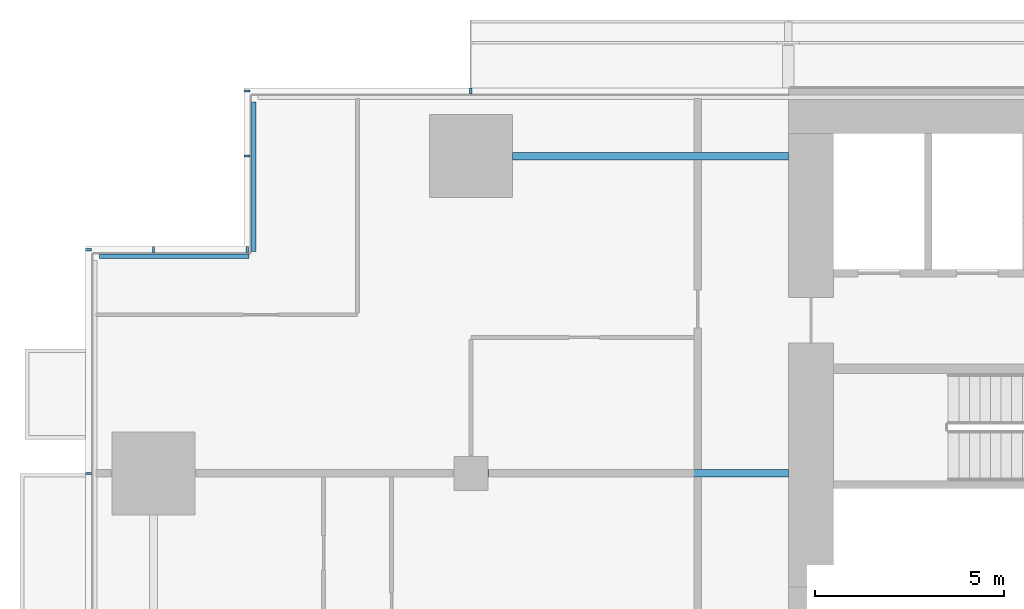
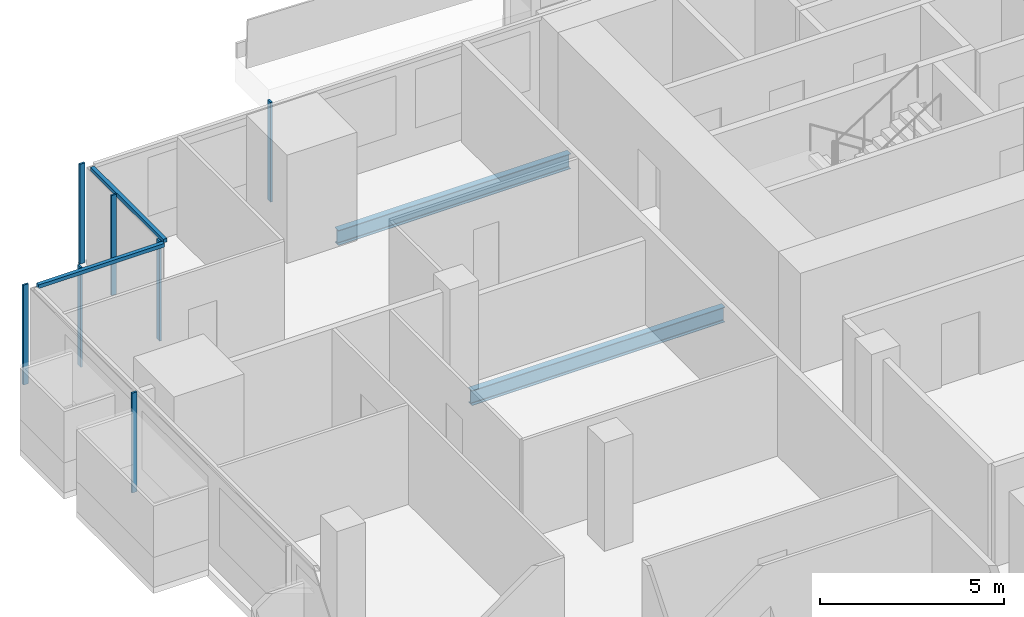
# One storey, part 8 of 27: 9 members, 2 beams, 4 elements without a shape of their own.
"""IFC4 building model written with IfcOpenShell, lengths in metres."""

import ifcopenshell
import ifcopenshell.guid

model = None  # the IFC model being written
_history = None  # IfcOwnerHistory: only IFC2X3 demands one
_inside = {}  # id of a spatial element -> (the spatial element, [elements in it])
_under = {}  # id of a project, library or spatial element -> (it, [spatial elements below it])
_declared = {}  # id of a project -> (the project, [libraries it declares])
_typed = {}  # id of a type object -> (the type object, [elements of that type])
_made_of = {}  # id of a material, layer set ... -> (it, [elements and type objects made of it])


def new_model(schema):
    """Start an empty IFC model of exactly this schema.

    Asked for "IFC4X3", IfcOpenShell would pick the latest addendum, in which some entities
    have other attributes; the version numbers below select the first issue.
    IFC2X3 requires an IfcOwnerHistory on every rooted entity: one is made here for all.
    """
    global model, _history
    if schema == "IFC4X3":
        model = ifcopenshell.file(schema_version=(4, 3, 0, 0))
    else:
        model = ifcopenshell.file(schema=schema)
    _inside.clear()
    _under.clear()
    _declared.clear()
    _typed.clear()
    _made_of.clear()
    _history = None
    if model.schema == "IFC2X3":
        org = make("IfcOrganization", Name="unknown")
        user = make(
            "IfcPersonAndOrganization",
            ThePerson=make("IfcPerson", FamilyName="unknown"),
            TheOrganization=org,
        )
        app = make(
            "IfcApplication",
            ApplicationDeveloper=org,
            Version="unknown",
            ApplicationFullName="unknown",
            ApplicationIdentifier="unknown",
        )
        _history = make(
            "IfcOwnerHistory",
            OwningUser=user,
            OwningApplication=app,
            ChangeAction="ADDED",
            CreationDate=0,
        )
    return model


def make(cls, **values):
    """One entity of the class cls with the attributes given. An attribute that is None is left unset."""
    return model.create_entity(
        cls, **{name: value for name, value in values.items() if value is not None}
    )


def rooted(cls, **values):
    """An entity with a GlobalId (a new one), such as an element, a storey or a relation."""
    return make(cls, GlobalId=ifcopenshell.guid.new(), OwnerHistory=_history, **values)


def si_unit(unit_type, name, prefix=None):
    """IfcSIUnit, for example si_unit("LENGTHUNIT", "METRE", prefix="MILLI")."""
    return make("IfcSIUnit", UnitType=unit_type, Prefix=prefix, Name=name)


def assignment(units):
    """IfcUnitAssignment: the units of a project."""
    return None if units is None else make("IfcUnitAssignment", Units=units)


def point(xyz):
    """IfcCartesianPoint."""
    return None if xyz is None else make("IfcCartesianPoint", Coordinates=xyz)


def direction(xyz):
    """IfcDirection."""
    return None if xyz is None else make("IfcDirection", DirectionRatios=xyz)


def frame(location, z_axis=None, x_axis=None):
    """IfcAxis2Placement3D, a coordinate frame: its origin and axes. An axis left out is left unset."""
    return make(
        "IfcAxis2Placement3D",
        Location=point(location),
        Axis=direction(z_axis),
        RefDirection=direction(x_axis),
    )


def frame_2d(location, x_axis=None):
    """IfcAxis2Placement2D, a coordinate frame in the plane: its origin and x axis."""
    return make(
        "IfcAxis2Placement2D", Location=point(location), RefDirection=direction(x_axis)
    )


def origin():
    """The frame at (0, 0, 0) with its axes left unset."""
    return frame((0.0, 0.0, 0.0))


def origin_2d():
    """The frame at (0, 0) in the plane with its x axis left unset."""
    return frame_2d((0.0, 0.0))


def place(relative_to, where):
    """IfcLocalPlacement: puts the frame where relative to a parent placement (None: the world)."""
    return make(
        "IfcLocalPlacement", PlacementRelTo=relative_to, RelativePlacement=where
    )


def context(
    kind, dimensions, precision=None, world=None, true_north=None, identifier=None
):
    """IfcGeometricRepresentationContext, for example the 3D "Model" context."""
    return make(
        "IfcGeometricRepresentationContext",
        ContextIdentifier=identifier,
        ContextType=kind,
        CoordinateSpaceDimension=dimensions,
        Precision=precision,
        WorldCoordinateSystem=world,
        TrueNorth=true_north,
    )


def subcontext(parent, identifier, kind, view, scale=None):
    """IfcGeometricRepresentationSubContext, for example "Body" below "Model"."""
    return make(
        "IfcGeometricRepresentationSubContext",
        ContextIdentifier=identifier,
        ContextType=kind,
        ParentContext=parent,
        TargetScale=scale,
        TargetView=view,
    )


def project(units=None, contexts=None):
    """IfcProject with its units and contexts."""
    return rooted(
        "IfcProject",
        Name="project",
        RepresentationContexts=contexts,
        UnitsInContext=assignment(units),
    )


def spatial(cls, under=None, at=None, **own):
    """A site, building, storey or space (cls), placed at a placement, below another one or the project."""
    s = rooted(cls, ObjectPlacement=at, **own)
    if under is not None:
        _under.setdefault(under.id(), (under, []))[1].append(s)
    return s


def profile(cls, at=None, kind="AREA", **sizes):
    """A parametric profile (cls). Its sizes go by their IFC names, for example OverallWidth=200.0."""
    return make(cls, ProfileType=kind, Position=at, **sizes)


def rectangle(**sizes):
    """IfcRectangleProfileDef."""
    return profile("IfcRectangleProfileDef", **sizes)


def i_section(**sizes):
    """IfcIShapeProfileDef."""
    return profile("IfcIShapeProfileDef", **sizes)


def extrude(swept, where, along, depth):
    """IfcExtrudedAreaSolid: the profile swept, set in the frame where, extruded along a direction by depth."""
    return make(
        "IfcExtrudedAreaSolid",
        SweptArea=swept,
        Position=where,
        ExtrudedDirection=direction(along),
        Depth=depth,
    )


def shape(context_of_items, identifier, shape_type, items):
    """IfcShapeRepresentation: the items that make up one representation, for example the "Body"."""
    return make(
        "IfcShapeRepresentation",
        ContextOfItems=context_of_items,
        RepresentationIdentifier=identifier,
        RepresentationType=shape_type,
        Items=items,
    )


def material(Name=None, Category=None):
    """IfcMaterial."""
    return make("IfcMaterial", Name=Name, Category=Category)


def material_profile(
    of_material, cross_section, Name=None, Category=None, Priority=None
):
    """IfcMaterialProfile: a cross section and its material."""
    return make(
        "IfcMaterialProfile",
        Name=Name,
        Material=of_material,
        Profile=cross_section,
        Priority=Priority,
        Category=Category,
    )


def profile_set(profiles, Name=None, composite=None):
    """IfcMaterialProfileSet."""
    return make(
        "IfcMaterialProfileSet",
        Name=Name,
        MaterialProfiles=profiles,
        CompositeProfile=composite,
    )


def made_of(thing, what):
    """Note that an element or type object is made of a material, layer set ...; save() writes the relation."""
    if what is not None:
        _made_of.setdefault(what.id(), (what, []))[1].append(thing)
    return thing


def type_object(cls, material=None, **own):
    """A type object (cls), such as IfcWallType, which elements share."""
    return made_of(rooted(cls, **own), material)


def element(
    cls,
    number,
    at=None,
    inside=None,
    cuts=None,
    type_object=None,
    material=None,
    context=None,
    identifier="Body",
    shape_type=None,
    held_by="IfcProductDefinitionShape",
    body=None,
    shapes=None,
    **own,
):
    """One element of the class cls, such as IfcWall. Its Tag is "e" and its number.

    at: its placement. inside: the storey or other place that contains it. cuts: it is an
    opening in that element (IfcRelVoidsElement). A single representation is given by context,
    identifier, shape_type and body (its items); several are given by shapes. held_by: the class
    of the entity that holds the representations. save() writes the other relations.
    """
    e = rooted(cls, Tag="e%d" % number, ObjectPlacement=at, **own)
    if body is not None:
        shapes = [shape(context, identifier, shape_type, body)]
    if shapes is not None:
        e.Representation = make(held_by, Representations=shapes)
    if inside is not None:
        _inside.setdefault(inside.id(), (inside, []))[1].append(e)
    if cuts is not None:
        rooted(
            "IfcRelVoidsElement", RelatingBuildingElement=cuts, RelatedOpeningElement=e
        )
    if type_object is not None:
        _typed.setdefault(type_object.id(), (type_object, []))[1].append(e)
    return made_of(e, material)


def aggregate(whole, parts):
    """IfcRelAggregates: a whole, such as a stair, and the parts it consists of."""
    return rooted("IfcRelAggregates", RelatingObject=whole, RelatedObjects=parts)


def save(model, path):
    """Write the relations noted so far, then the file.

    IfcRelAggregates (storeys below a building ...), IfcRelContainedInSpatialStructure (elements
    in a storey), IfcRelDefinesByType, IfcRelAssociatesMaterial and IfcRelDeclares: one each for
    every whole, place, type object, material and project.
    """
    for whole, parts in _under.values():
        aggregate(whole, parts)
    for where, things in _inside.values():
        rooted(
            "IfcRelContainedInSpatialStructure",
            RelatedElements=things,
            RelatingStructure=where,
        )
    for kind, things in _typed.values():
        rooted("IfcRelDefinesByType", RelatedObjects=things, RelatingType=kind)
    for what, things in _made_of.values():
        rooted("IfcRelAssociatesMaterial", RelatedObjects=things, RelatingMaterial=what)
    for by, libraries in _declared.values():
        rooted("IfcRelDeclares", RelatingContext=by, RelatedDefinitions=libraries)
    model.write(path)


model = new_model("IFC4")

# Units and contexts
model_context = context("Model", 3, precision=1e-05, world=origin(), true_north=direction((0.0, 1.0)))
body_context = subcontext(model_context, "Body", "Model", "MODEL_VIEW")
ifc_project = project(units=[si_unit("LENGTHUNIT", "METRE"), si_unit("AREAUNIT", "SQUARE_METRE"), si_unit("VOLUMEUNIT", "CUBIC_METRE"), si_unit("PLANEANGLEUNIT", "RADIAN"), si_unit("MASSUNIT", "GRAM", prefix="KILO")], contexts=[model_context])

# Site, building, storey
site_placement = place(None, origin())
site = spatial("IfcSite", under=ifc_project, at=site_placement, CompositionType="ELEMENT")
building_placement = place(site_placement, origin())
building = spatial("IfcBuilding", under=site, at=building_placement, Name="Saffron Gate Tower", CompositionType="ELEMENT")
storey_placement = place(building_placement, frame((0.0, 0.0, 44.39990234375)))
storey = spatial("IfcBuildingStorey", under=building, at=storey_placement, Name="L09", CompositionType="ELEMENT", Elevation=44.39990234375)

# Beams
ifc_material_1 = material(Name="Structural steel S355", Category="steel")
ifc_material_profile_1 = material_profile(ifc_material_1, i_section(OverallWidth=0.199951171875, OverallDepth=0.5, WebThickness=0.01025390625, FlangeThickness=0.01611328125, FilletRadius=0.02099609375, at=origin_2d()))
ifc_profile_set_1 = profile_set([ifc_material_profile_1], Name="Structural steel S355")
beam_type = type_object("IfcBeamType", Name="B10 IPE 500", PredefinedType="BEAM", material=ifc_profile_set_1)
beam_1_placement = place(storey_placement, frame((58.64990234375, 65.39990234375, -0.52978515625), z_axis=(1.0, 0.0, 0.0), x_axis=(0.0, 1.0, 0.0)))
element("IfcBeam", 1, at=beam_1_placement, inside=storey, type_object=beam_type, Name="B10 CORE TIE BEAM", PredefinedType="BEAM", context=body_context, shape_type="SweptSolid", body=[
    extrude(i_section(OverallWidth=0.199951171875, OverallDepth=0.5, WebThickness=0.01025390625, FlangeThickness=0.01611328125, FilletRadius=0.02099609375, at=origin_2d()), origin(), (0.0, 0.0, 1.0), 7.9501953125),
])
beam_2_placement = place(storey_placement, frame((59.300048828125, 73.800048828125, -0.52978515625), z_axis=(1.0, 0.0, 0.0), x_axis=(0.0, 1.0, 0.0)))
element("IfcBeam", 2, at=beam_2_placement, inside=storey, type_object=beam_type, Name="B10 CORE TIE BEAM", PredefinedType="BEAM", context=body_context, shape_type="SweptSolid", body=[
    extrude(i_section(OverallWidth=0.199951171875, OverallDepth=0.5, WebThickness=0.01025390625, FlangeThickness=0.01611328125, FilletRadius=0.02099609375, at=origin_2d()), origin(), (0.0, 0.0, 1.0), 7.300048828125),
])

# Curtain wall, members
ifc_material_2 = material(Name="Aluminium, bronze anodised", Category="aluminium")
curtain_wall_type_1 = type_object("IfcCurtainWallType", Name="CWS2 curtain wall side facades", PredefinedType="NOTDEFINED", material=ifc_material_2)
curtain_wall_1_placement = place(storey_placement, origin())
curtain_wall_1 = element("IfcCurtainWall", 3, at=curtain_wall_1_placement, inside=storey, type_object=curtain_wall_type_1, Name="CWS2 run 10", PredefinedType="NOTDEFINED")
ifc_material_profile_2 = material_profile(ifc_material_2, rectangle(XDim=0.159912109375, YDim=0.06005859375, at=origin_2d()))
ifc_profile_set_2 = profile_set([ifc_material_profile_2], Name="Aluminium, bronze anodised")
member_type_1 = type_object("IfcMemberType", Name="CWS2 mullion 60x160", PredefinedType="MULLION", material=ifc_profile_set_2)
member_1_placement = place(storey_placement, frame((48.080078125, 71.320068359375, 0.0), z_axis=(0.0, 0.0, 1.0), x_axis=(1.0, 0.0, 0.0)))
member_1 = element("IfcMember", 4, at=member_1_placement, type_object=member_type_1, Name="CWS2 mullion 1", PredefinedType="MULLION", context=body_context, shape_type="SweptSolid", body=[
    extrude(rectangle(XDim=0.159912109375, YDim=0.06005859375, at=origin_2d()), origin(), (0.0, 0.0, 1.0), 3.320068359375),
])
member_2_placement = place(storey_placement, frame((48.080078125, 65.39990234375, 0.0), z_axis=(0.0, 0.0, 1.0), x_axis=(1.0, 0.0, 0.0)))
member_2 = element("IfcMember", 5, at=member_2_placement, type_object=member_type_1, Name="CWS2 mullion 2", PredefinedType="MULLION", context=body_context, shape_type="SweptSolid", body=[
    extrude(rectangle(XDim=0.159912109375, YDim=0.06005859375, at=origin_2d()), origin(), (0.0, 0.0, 1.0), 3.320068359375),
])
aggregate(curtain_wall_1, [member_1, member_2])

# Curtain wall, member
curtain_wall_type_2 = type_object("IfcCurtainWallType", Name="CWS3 curtain wall rear facade", PredefinedType="NOTDEFINED", material=ifc_material_2)
curtain_wall_2_placement = place(storey_placement, origin())
curtain_wall_2 = element("IfcCurtainWall", 6, at=curtain_wall_2_placement, inside=storey, type_object=curtain_wall_type_2, Name="CWS3 run 7", PredefinedType="NOTDEFINED")
ifc_material_profile_3 = material_profile(ifc_material_2, rectangle(XDim=0.159912109375, YDim=0.070068359375, at=origin_2d()))
ifc_profile_set_3 = profile_set([ifc_material_profile_3], Name="Aluminium, bronze anodised")
member_type_2 = type_object("IfcMemberType", Name="CWS3 mullion 70x160", PredefinedType="MULLION", material=ifc_profile_set_3)
member_3_placement = place(storey_placement, frame((58.199951171875, 75.52001953125, 0.0), z_axis=(0.0, 0.0, 1.0), x_axis=(0.0, -1.0, 0.0)))
member_3 = element("IfcMember", 7, at=member_3_placement, type_object=member_type_2, Name="CWS3 mullion 9", PredefinedType="MULLION", context=body_context, shape_type="SweptSolid", body=[
    extrude(rectangle(XDim=0.159912109375, YDim=0.070068359375, at=origin_2d()), origin(), (0.0, 0.0, 1.0), 3.320068359375),
])
aggregate(curtain_wall_2, [member_3])

curtain_wall_type_3 = type_object("IfcCurtainWallType", Name="CWS4 curtain wall corner returns", PredefinedType="NOTDEFINED", material=ifc_material_2)
curtain_wall_3_placement = place(storey_placement, origin())
curtain_wall_3 = element("IfcCurtainWall", 8, at=curtain_wall_3_placement, inside=storey, type_object=curtain_wall_type_3, Name="CWS4 run 8", PredefinedType="NOTDEFINED")
ifc_material_profile_4 = material_profile(ifc_material_2, rectangle(XDim=0.1201171875, YDim=0.1201171875, at=origin_2d()))
ifc_profile_set_4 = profile_set([ifc_material_profile_4], Name="Aluminium, bronze anodised")
member_type_3 = type_object("IfcMemberType", Name="CWS4 head transom", PredefinedType="USERDEFINED", material=ifc_profile_set_4)
member_4_placement = place(storey_placement, frame((52.447998046875, 75.23193359375, 3.260009765625), z_axis=(0.0, -1.0, 0.0), x_axis=(1.0, 0.0, 0.0)))
member_4 = element("IfcMember", 9, at=member_4_placement, type_object=member_type_3, Name="CWS4 head transom", ObjectType="TRANSOM", PredefinedType="USERDEFINED", context=body_context, shape_type="SweptSolid", body=[
    extrude(rectangle(XDim=0.1201171875, YDim=0.1201171875, at=origin_2d()), origin(), (0.0, 0.0, 1.0), 3.9599609375),
])

curtain_wall_4_placement = place(storey_placement, origin())
curtain_wall_4 = element("IfcCurtainWall", 10, at=curtain_wall_4_placement, inside=storey, type_object=curtain_wall_type_3, Name="CWS4 run 9", PredefinedType="NOTDEFINED")
member_5_placement = place(storey_placement, frame((52.327880859375, 71.152099609375, 3.260009765625), z_axis=(-1.0, 0.0, 0.0), x_axis=(0.0, -1.0, 0.0)))
member_5 = element("IfcMember", 11, at=member_5_placement, type_object=member_type_3, Name="CWS4 head transom", ObjectType="TRANSOM", PredefinedType="USERDEFINED", context=body_context, shape_type="SweptSolid", body=[
    extrude(rectangle(XDim=0.1201171875, YDim=0.1201171875, at=origin_2d()), origin(), (0.0, 0.0, 1.0), 3.9599609375),
])

# Member
ifc_material_profile_5 = material_profile(ifc_material_2, rectangle(XDim=0.159912109375, YDim=0.06005859375, at=origin_2d()))
ifc_profile_set_5 = profile_set([ifc_material_profile_5], Name="Aluminium, bronze anodised")
member_type_4 = type_object("IfcMemberType", Name="CWS4 mullion 60x160", PredefinedType="MULLION", material=ifc_profile_set_5)
member_6_placement = place(storey_placement, frame((52.280029296875, 75.52001953125, 0.0), z_axis=(0.0, 0.0, 1.0), x_axis=(1.0, 0.0, 0.0)))
member_6 = element("IfcMember", 12, at=member_6_placement, type_object=member_type_4, Name="CWS4 mullion 1", PredefinedType="MULLION", context=body_context, shape_type="SweptSolid", body=[
    extrude(rectangle(XDim=0.159912109375, YDim=0.06005859375, at=origin_2d()), origin(), (0.0, 0.0, 1.0), 3.320068359375),
])

member_7_placement = place(storey_placement, frame((52.280029296875, 73.800048828125, 0.0), z_axis=(0.0, 0.0, 1.0), x_axis=(1.0, 0.0, 0.0)))
member_7 = element("IfcMember", 13, at=member_7_placement, type_object=member_type_4, Name="CWS4 mullion 2", PredefinedType="MULLION", context=body_context, shape_type="SweptSolid", body=[
    extrude(rectangle(XDim=0.159912109375, YDim=0.06005859375, at=origin_2d()), origin(), (0.0, 0.0, 1.0), 3.320068359375),
])

aggregate(curtain_wall_3, [member_6, member_7, member_4])

member_8_placement = place(storey_placement, frame((52.280029296875, 71.320068359375, 0.0), z_axis=(0.0, 0.0, 1.0), x_axis=(0.0, -1.0, 0.0)))
member_8 = element("IfcMember", 14, at=member_8_placement, type_object=member_type_4, Name="CWS4 mullion 1", PredefinedType="MULLION", context=body_context, shape_type="SweptSolid", body=[
    extrude(rectangle(XDim=0.159912109375, YDim=0.06005859375, at=origin_2d()), origin(), (0.0, 0.0, 1.0), 3.320068359375),
])

member_9_placement = place(storey_placement, frame((49.800048828125, 71.320068359375, 0.0), z_axis=(0.0, 0.0, 1.0), x_axis=(0.0, -1.0, 0.0)))
member_9 = element("IfcMember", 15, at=member_9_placement, type_object=member_type_4, Name="CWS4 mullion 2", PredefinedType="MULLION", context=body_context, shape_type="SweptSolid", body=[
    extrude(rectangle(XDim=0.159912109375, YDim=0.06005859375, at=origin_2d()), origin(), (0.0, 0.0, 1.0), 3.320068359375),
])

aggregate(curtain_wall_4, [member_8, member_9, member_5])

save(model, "model.ifc")
